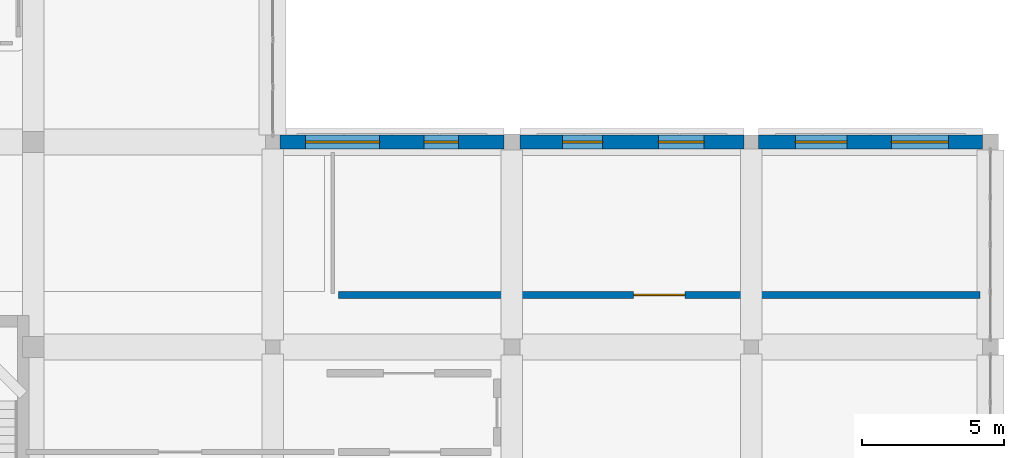
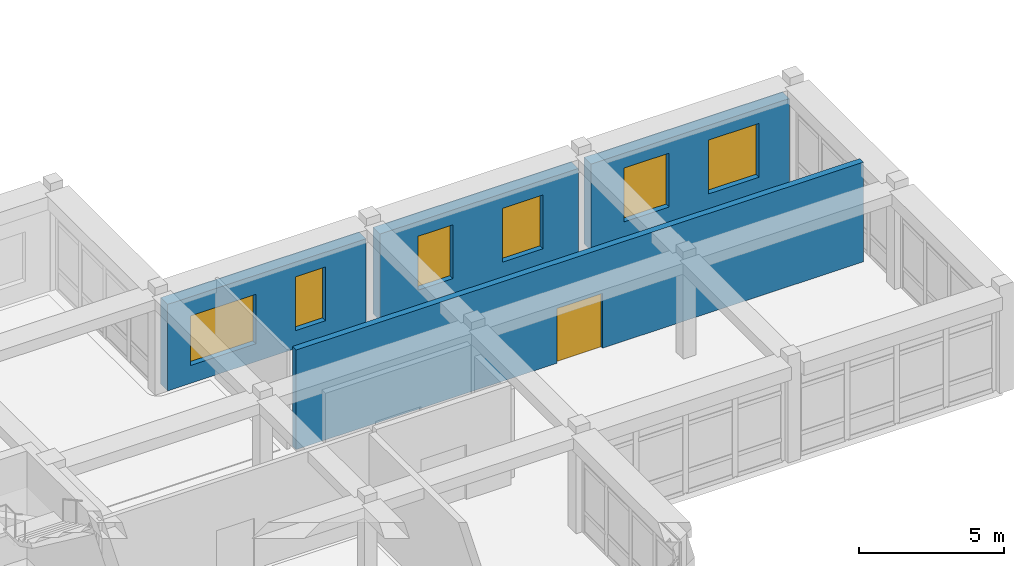
# One storey, part 87 of 121: 6 windows, 4 walls, 1 door, 7 openings.
"""IFC4 building model written with IfcOpenShell, lengths in metres."""

import ifcopenshell
import ifcopenshell.guid

model = None  # the IFC model being written
_history = None  # IfcOwnerHistory: only IFC2X3 demands one
_inside = {}  # id of a spatial element -> (the spatial element, [elements in it])
_under = {}  # id of a project, library or spatial element -> (it, [spatial elements below it])
_declared = {}  # id of a project -> (the project, [libraries it declares])
_typed = {}  # id of a type object -> (the type object, [elements of that type])
_made_of = {}  # id of a material, layer set ... -> (it, [elements and type objects made of it])


def new_model(schema):
    """Start an empty IFC model of exactly this schema.

    Asked for "IFC4X3", IfcOpenShell would pick the latest addendum, in which some entities
    have other attributes; the version numbers below select the first issue.
    IFC2X3 requires an IfcOwnerHistory on every rooted entity: one is made here for all.
    """
    global model, _history
    if schema == "IFC4X3":
        model = ifcopenshell.file(schema_version=(4, 3, 0, 0))
    else:
        model = ifcopenshell.file(schema=schema)
    _inside.clear()
    _under.clear()
    _declared.clear()
    _typed.clear()
    _made_of.clear()
    _history = None
    if model.schema == "IFC2X3":
        org = make("IfcOrganization", Name="unknown")
        user = make(
            "IfcPersonAndOrganization",
            ThePerson=make("IfcPerson", FamilyName="unknown"),
            TheOrganization=org,
        )
        app = make(
            "IfcApplication",
            ApplicationDeveloper=org,
            Version="unknown",
            ApplicationFullName="unknown",
            ApplicationIdentifier="unknown",
        )
        _history = make(
            "IfcOwnerHistory",
            OwningUser=user,
            OwningApplication=app,
            ChangeAction="ADDED",
            CreationDate=0,
        )
    return model


def make(cls, **values):
    """One entity of the class cls with the attributes given. An attribute that is None is left unset."""
    return model.create_entity(
        cls, **{name: value for name, value in values.items() if value is not None}
    )


def rooted(cls, **values):
    """An entity with a GlobalId (a new one), such as an element, a storey or a relation."""
    return make(cls, GlobalId=ifcopenshell.guid.new(), OwnerHistory=_history, **values)


def si_unit(unit_type, name, prefix=None):
    """IfcSIUnit, for example si_unit("LENGTHUNIT", "METRE", prefix="MILLI")."""
    return make("IfcSIUnit", UnitType=unit_type, Prefix=prefix, Name=name)


def derived_unit(unit_type, elements):
    """IfcDerivedUnit: a product of units, each with its exponent."""
    return make(
        "IfcDerivedUnit",
        Elements=[
            make("IfcDerivedUnitElement", Unit=unit, Exponent=power)
            for unit, power in elements
        ],
        UnitType=unit_type,
    )


def assignment(units):
    """IfcUnitAssignment: the units of a project."""
    return None if units is None else make("IfcUnitAssignment", Units=units)


def point(xyz):
    """IfcCartesianPoint."""
    return None if xyz is None else make("IfcCartesianPoint", Coordinates=xyz)


def direction(xyz):
    """IfcDirection."""
    return None if xyz is None else make("IfcDirection", DirectionRatios=xyz)


def frame(location, z_axis=None, x_axis=None):
    """IfcAxis2Placement3D, a coordinate frame: its origin and axes. An axis left out is left unset."""
    return make(
        "IfcAxis2Placement3D",
        Location=point(location),
        Axis=direction(z_axis),
        RefDirection=direction(x_axis),
    )


def frame_2d(location, x_axis=None):
    """IfcAxis2Placement2D, a coordinate frame in the plane: its origin and x axis."""
    return make(
        "IfcAxis2Placement2D", Location=point(location), RefDirection=direction(x_axis)
    )


def origin():
    """The frame at (0, 0, 0) with its axes left unset."""
    return frame((0.0, 0.0, 0.0))


def place(relative_to, where):
    """IfcLocalPlacement: puts the frame where relative to a parent placement (None: the world)."""
    return make(
        "IfcLocalPlacement", PlacementRelTo=relative_to, RelativePlacement=where
    )


def context(
    kind, dimensions, precision=None, world=None, true_north=None, identifier=None
):
    """IfcGeometricRepresentationContext, for example the 3D "Model" context."""
    return make(
        "IfcGeometricRepresentationContext",
        ContextIdentifier=identifier,
        ContextType=kind,
        CoordinateSpaceDimension=dimensions,
        Precision=precision,
        WorldCoordinateSystem=world,
        TrueNorth=true_north,
    )


def subcontext(parent, identifier, kind, view, scale=None):
    """IfcGeometricRepresentationSubContext, for example "Body" below "Model"."""
    return make(
        "IfcGeometricRepresentationSubContext",
        ContextIdentifier=identifier,
        ContextType=kind,
        ParentContext=parent,
        TargetScale=scale,
        TargetView=view,
    )


def project(units=None, contexts=None):
    """IfcProject with its units and contexts."""
    return rooted(
        "IfcProject",
        Name="project",
        RepresentationContexts=contexts,
        UnitsInContext=assignment(units),
    )


def spatial(cls, under=None, at=None, **own):
    """A site, building, storey or space (cls), placed at a placement, below another one or the project."""
    s = rooted(cls, ObjectPlacement=at, **own)
    if under is not None:
        _under.setdefault(under.id(), (under, []))[1].append(s)
    return s


def profile(cls, at=None, kind="AREA", **sizes):
    """A parametric profile (cls). Its sizes go by their IFC names, for example OverallWidth=200.0."""
    return make(cls, ProfileType=kind, Position=at, **sizes)


def rectangle(**sizes):
    """IfcRectangleProfileDef."""
    return profile("IfcRectangleProfileDef", **sizes)


def extrude(swept, where, along, depth):
    """IfcExtrudedAreaSolid: the profile swept, set in the frame where, extruded along a direction by depth."""
    return make(
        "IfcExtrudedAreaSolid",
        SweptArea=swept,
        Position=where,
        ExtrudedDirection=direction(along),
        Depth=depth,
    )


def shape(context_of_items, identifier, shape_type, items):
    """IfcShapeRepresentation: the items that make up one representation, for example the "Body"."""
    return make(
        "IfcShapeRepresentation",
        ContextOfItems=context_of_items,
        RepresentationIdentifier=identifier,
        RepresentationType=shape_type,
        Items=items,
    )


def material(Name=None, Category=None):
    """IfcMaterial."""
    return make("IfcMaterial", Name=Name, Category=Category)


def layer(
    of_material, thickness, ventilated=None, Name=None, Category=None, Priority=None
):
    """IfcMaterialLayer: one layer of a wall or slab, of a material (None: an air gap)."""
    return make(
        "IfcMaterialLayer",
        Material=of_material,
        LayerThickness=thickness,
        IsVentilated=ventilated,
        Name=Name,
        Category=Category,
        Priority=Priority,
    )


def layer_set(layers, Name=None):
    """IfcMaterialLayerSet."""
    return make("IfcMaterialLayerSet", MaterialLayers=layers, LayerSetName=Name)


def made_of(thing, what):
    """Note that an element or type object is made of a material, layer set ...; save() writes the relation."""
    if what is not None:
        _made_of.setdefault(what.id(), (what, []))[1].append(thing)
    return thing


def type_object(cls, material=None, **own):
    """A type object (cls), such as IfcWallType, which elements share."""
    return made_of(rooted(cls, **own), material)


def element(
    cls,
    number,
    at=None,
    inside=None,
    cuts=None,
    type_object=None,
    material=None,
    context=None,
    identifier="Body",
    shape_type=None,
    held_by="IfcProductDefinitionShape",
    body=None,
    shapes=None,
    **own,
):
    """One element of the class cls, such as IfcWall. Its Tag is "e" and its number.

    at: its placement. inside: the storey or other place that contains it. cuts: it is an
    opening in that element (IfcRelVoidsElement). A single representation is given by context,
    identifier, shape_type and body (its items); several are given by shapes. held_by: the class
    of the entity that holds the representations. save() writes the other relations.
    """
    e = rooted(cls, Tag="e%d" % number, ObjectPlacement=at, **own)
    if body is not None:
        shapes = [shape(context, identifier, shape_type, body)]
    if shapes is not None:
        e.Representation = make(held_by, Representations=shapes)
    if inside is not None:
        _inside.setdefault(inside.id(), (inside, []))[1].append(e)
    if cuts is not None:
        rooted(
            "IfcRelVoidsElement", RelatingBuildingElement=cuts, RelatedOpeningElement=e
        )
    if type_object is not None:
        _typed.setdefault(type_object.id(), (type_object, []))[1].append(e)
    return made_of(e, material)


def fill(opening, filler):
    """IfcRelFillsElement: the door or window that sits in an opening."""
    return rooted(
        "IfcRelFillsElement",
        RelatingOpeningElement=opening,
        RelatedBuildingElement=filler,
    )


def aggregate(whole, parts):
    """IfcRelAggregates: a whole, such as a stair, and the parts it consists of."""
    return rooted("IfcRelAggregates", RelatingObject=whole, RelatedObjects=parts)


def save(model, path):
    """Write the relations noted so far, then the file.

    IfcRelAggregates (storeys below a building ...), IfcRelContainedInSpatialStructure (elements
    in a storey), IfcRelDefinesByType, IfcRelAssociatesMaterial and IfcRelDeclares: one each for
    every whole, place, type object, material and project.
    """
    for whole, parts in _under.values():
        aggregate(whole, parts)
    for where, things in _inside.values():
        rooted(
            "IfcRelContainedInSpatialStructure",
            RelatedElements=things,
            RelatingStructure=where,
        )
    for kind, things in _typed.values():
        rooted("IfcRelDefinesByType", RelatedObjects=things, RelatingType=kind)
    for what, things in _made_of.values():
        rooted("IfcRelAssociatesMaterial", RelatedObjects=things, RelatingMaterial=what)
    for by, libraries in _declared.values():
        rooted("IfcRelDeclares", RelatingContext=by, RelatedDefinitions=libraries)
    model.write(path)


model = new_model("IFC4")

# Units and contexts
model_context = context("Model", 3, precision=1e-05, world=origin(), true_north=direction((0.0, 1.0)))
body_context = subcontext(model_context, "Body", "Model", "MODEL_VIEW")
ifc_project = project(units=[si_unit("LENGTHUNIT", "METRE"), si_unit("AREAUNIT", "SQUARE_METRE"), si_unit("VOLUMEUNIT", "CUBIC_METRE"), si_unit("PLANEANGLEUNIT", "RADIAN"), si_unit("MASSUNIT", "GRAM", prefix="KILO"), derived_unit("THERMALTRANSMITTANCEUNIT", [(si_unit("POWERUNIT", "WATT"), 1), (si_unit("LENGTHUNIT", "METRE"), -2), (si_unit("THERMODYNAMICTEMPERATUREUNIT", "KELVIN"), -1)])], contexts=[model_context])

# Site, building, storey
site_placement = place(None, origin())
site = spatial("IfcSite", under=ifc_project, at=site_placement, CompositionType="ELEMENT")
building_placement = place(site_placement, origin())
building = spatial("IfcBuilding", under=site, at=building_placement, Name="Veybourne Emporium", CompositionType="ELEMENT")
storey_placement = place(building_placement, frame((0.0, 0.0, 5.39990234375)))
storey = spatial("IfcBuildingStorey", under=building, at=storey_placement, Name="L01", CompositionType="ELEMENT", Elevation=5.39990234375)

# Wall, openings, windows
ifc_material_1 = material(Name="Portland Limestone Ashlar", Category="masonry")
ifc_layer_1 = layer(ifc_material_1, 0.47998046875)
ifc_layer_set_1 = layer_set([ifc_layer_1], Name="Portland Limestone Ashlar")
wall_type_1 = type_object("IfcWallType", Name="ExtWall_EW-01", PredefinedType="SOLIDWALL", material=ifc_layer_set_1)
wall_1_placement = place(storey_placement, frame((143.050048828125, 21.60009765625, 0.0), z_axis=(0.0, 0.0, 1.0), x_axis=(1.0, 0.0, 0.0)))
wall_1 = element("IfcWall", 1, at=wall_1_placement, inside=storey, type_object=wall_type_1, Name="L01 Portland stone external wall 074", PredefinedType="SOLIDWALL", context=body_context, shape_type="SweptSolid", body=[
    extrude(rectangle(XDim=7.875, YDim=0.47998046875, at=frame_2d((3.9375, 0.0))), origin(), (0.0, 0.0, 1.0), 3.630126953125),
])
opening_1_placement = place(wall_1_placement, frame((0.905029296875, 0.0, 0.75)))
opening_1 = element("IfcOpeningElement", 2, at=opening_1_placement, cuts=wall_1, Name="Opening W-16", PredefinedType="OPENING", context=body_context, shape_type="SweptSolid", body=[
    extrude(rectangle(XDim=2.60009765625, YDim=2.080078125, at=frame_2d((1.300048828125, 1.0400390625))), frame((0.0, 0.260009765625, 0.0), z_axis=(0.0, -1.0, 0.0), x_axis=(1.0, 0.0, 0.0)), (0.0, 0.0, 1.0), 0.52001953125),
])
opening_2_placement = place(wall_1_placement, frame((5.070068359375, 0.0, 0.75)))
opening_2 = element("IfcOpeningElement", 3, at=opening_2_placement, cuts=wall_1, Name="Opening W-17", PredefinedType="OPENING", context=body_context, shape_type="SweptSolid", body=[
    extrude(rectangle(XDim=1.199951171875, YDim=2.260009765625, at=frame_2d((0.60009765625, 1.1298828125))), frame((0.0, 0.260009765625, 0.0), z_axis=(0.0, -1.0, 0.0), x_axis=(1.0, 0.0, 0.0)), (0.0, 0.0, 1.0), 0.52001953125),
])
ifc_material_2 = material(Name="Low-E Triple Glazing", Category="glass")
window_type_1 = type_object("IfcWindowType", Name="Win_W-16", PartitioningType="TRIPLE_PANEL_VERTICAL", PredefinedType="WINDOW", material=ifc_material_2)
window_1_placement = place(opening_1_placement, origin())
window_1 = element("IfcWindow", 4, at=window_1_placement, inside=storey, type_object=window_type_1, Name="L01 tripartite bronze casement window W-16 (74.1)", OverallHeight=2.080078125, OverallWidth=2.60009765625, PartitioningType="TRIPLE_PANEL_VERTICAL", PredefinedType="WINDOW", context=body_context, shape_type="SweptSolid", body=[
    extrude(rectangle(XDim=2.60009765625, YDim=2.080078125, at=frame_2d((1.300048828125, 1.0400390625))), frame((0.0, 0.030029296875, 0.0), z_axis=(0.0, -1.0, 0.0), x_axis=(1.0, 0.0, 0.0)), (0.0, 0.0, 1.0), 0.06005859375),
])
fill(opening_1, window_1)
window_type_2 = type_object("IfcWindowType", Name="Win_W-17", PartitioningType="SINGLE_PANEL", PredefinedType="WINDOW", material=ifc_material_2)
window_2_placement = place(opening_2_placement, origin())
window_2 = element("IfcWindow", 5, at=window_2_placement, inside=storey, type_object=window_type_2, Name="L01 tripartite bronze casement window W-17 (74.2)", OverallHeight=2.260009765625, OverallWidth=1.199951171875, PartitioningType="SINGLE_PANEL", PredefinedType="WINDOW", context=body_context, shape_type="SweptSolid", body=[
    extrude(rectangle(XDim=1.199951171875, YDim=2.260009765625, at=frame_2d((0.60009765625, 1.1298828125))), frame((0.0, 0.030029296875, 0.0), z_axis=(0.0, -1.0, 0.0), x_axis=(1.0, 0.0, 0.0)), (0.0, 0.0, 1.0), 0.06005859375),
])
fill(opening_2, window_2)

wall_2_placement = place(storey_placement, frame((151.47509765625, 21.60009765625, 0.0), z_axis=(0.0, 0.0, 1.0), x_axis=(1.0, 0.0, 0.0)))
wall_2 = element("IfcWall", 6, at=wall_2_placement, inside=storey, type_object=wall_type_1, Name="L01 Portland stone external wall 076", PredefinedType="SOLIDWALL", context=body_context, shape_type="SweptSolid", body=[
    extrude(rectangle(XDim=7.875, YDim=0.47998046875, at=frame_2d((3.9375, 0.0))), origin(), (0.0, 0.0, 1.0), 3.630126953125),
])
opening_3_placement = place(wall_2_placement, frame((1.5048828125, 0.0, 0.75)))
opening_3 = element("IfcOpeningElement", 7, at=opening_3_placement, cuts=wall_2, Name="Opening W-18", PredefinedType="OPENING", context=body_context, shape_type="SweptSolid", body=[
    extrude(rectangle(XDim=1.39990234375, YDim=2.260009765625, at=frame_2d((0.699951171875, 1.1298828125))), frame((0.0, 0.260009765625, 0.0), z_axis=(0.0, -1.0, 0.0), x_axis=(1.0, 0.0, 0.0)), (0.0, 0.0, 1.0), 0.52001953125),
])
opening_4_placement = place(wall_2_placement, frame((4.8701171875, 0.0, 0.75)))
opening_4 = element("IfcOpeningElement", 8, at=opening_4_placement, cuts=wall_2, Name="Opening W-19", PredefinedType="OPENING", context=body_context, shape_type="SweptSolid", body=[
    extrude(rectangle(XDim=1.60009765625, YDim=2.260009765625, at=frame_2d((0.800048828125, 1.1298828125))), frame((0.0, 0.260009765625, 0.0), z_axis=(0.0, -1.0, 0.0), x_axis=(1.0, 0.0, 0.0)), (0.0, 0.0, 1.0), 0.52001953125),
])
window_type_3 = type_object("IfcWindowType", Name="Win_W-18", PartitioningType="DOUBLE_PANEL_VERTICAL", PredefinedType="WINDOW", material=ifc_material_2)
window_3_placement = place(opening_3_placement, origin())
window_3 = element("IfcWindow", 9, at=window_3_placement, inside=storey, type_object=window_type_3, Name="L01 tripartite bronze casement window W-18 (76.1)", OverallHeight=2.260009765625, OverallWidth=1.39990234375, PartitioningType="DOUBLE_PANEL_VERTICAL", PredefinedType="WINDOW", context=body_context, shape_type="SweptSolid", body=[
    extrude(rectangle(XDim=1.39990234375, YDim=2.260009765625, at=frame_2d((0.699951171875, 1.1298828125))), frame((0.0, 0.030029296875, 0.0), z_axis=(0.0, -1.0, 0.0), x_axis=(1.0, 0.0, 0.0)), (0.0, 0.0, 1.0), 0.06005859375),
])
fill(opening_3, window_3)
window_type_4 = type_object("IfcWindowType", Name="Win_W-19", PartitioningType="DOUBLE_PANEL_VERTICAL", PredefinedType="WINDOW", material=ifc_material_2)
window_4_placement = place(opening_4_placement, origin())
window_4 = element("IfcWindow", 10, at=window_4_placement, inside=storey, type_object=window_type_4, Name="L01 tripartite bronze casement window W-19 (76.2)", OverallHeight=2.260009765625, OverallWidth=1.60009765625, PartitioningType="DOUBLE_PANEL_VERTICAL", PredefinedType="WINDOW", context=body_context, shape_type="SweptSolid", body=[
    extrude(rectangle(XDim=1.60009765625, YDim=2.260009765625, at=frame_2d((0.800048828125, 1.1298828125))), frame((0.0, 0.030029296875, 0.0), z_axis=(0.0, -1.0, 0.0), x_axis=(1.0, 0.0, 0.0)), (0.0, 0.0, 1.0), 0.06005859375),
])
fill(opening_4, window_4)

wall_3_placement = place(storey_placement, frame((159.85009765625, 21.60009765625, 0.0), z_axis=(0.0, 0.0, 1.0), x_axis=(1.0, 0.0, 0.0)))
wall_3 = element("IfcWall", 11, at=wall_3_placement, inside=storey, type_object=wall_type_1, Name="L01 Portland stone external wall 080", PredefinedType="SOLIDWALL", context=body_context, shape_type="SweptSolid", body=[
    extrude(rectangle(XDim=7.875, YDim=0.47998046875, at=frame_2d((3.9375, 0.0))), origin(), (0.0, 0.0, 1.0), 3.630126953125),
])
opening_5_placement = place(wall_3_placement, frame((1.304931640625, 0.0, 0.75)))
opening_5 = element("IfcOpeningElement", 12, at=opening_5_placement, cuts=wall_3, Name="Opening W-20", PredefinedType="OPENING", context=body_context, shape_type="SweptSolid", body=[
    extrude(rectangle(XDim=1.800048828125, YDim=2.260009765625, at=frame_2d((0.89990234375, 1.1298828125))), frame((0.0, 0.260009765625, 0.0), z_axis=(0.0, -1.0, 0.0), x_axis=(1.0, 0.0, 0.0)), (0.0, 0.0, 1.0), 0.52001953125),
])
opening_6_placement = place(wall_3_placement, frame((4.669921875, 0.0, 0.75)))
opening_6 = element("IfcOpeningElement", 13, at=opening_6_placement, cuts=wall_3, Name="Opening W-21", PredefinedType="OPENING", context=body_context, shape_type="SweptSolid", body=[
    extrude(rectangle(XDim=2.0, YDim=2.260009765625, at=frame_2d((1.0, 1.1298828125))), frame((0.0, 0.260009765625, 0.0), z_axis=(0.0, -1.0, 0.0), x_axis=(1.0, 0.0, 0.0)), (0.0, 0.0, 1.0), 0.52001953125),
])
window_type_5 = type_object("IfcWindowType", Name="Win_W-20", PartitioningType="DOUBLE_PANEL_VERTICAL", PredefinedType="WINDOW", material=ifc_material_2)
window_5_placement = place(opening_5_placement, origin())
window_5 = element("IfcWindow", 14, at=window_5_placement, inside=storey, type_object=window_type_5, Name="L01 tripartite bronze casement window W-20 (80.1)", OverallHeight=2.260009765625, OverallWidth=1.800048828125, PartitioningType="DOUBLE_PANEL_VERTICAL", PredefinedType="WINDOW", context=body_context, shape_type="SweptSolid", body=[
    extrude(rectangle(XDim=1.800048828125, YDim=2.260009765625, at=frame_2d((0.89990234375, 1.1298828125))), frame((0.0, 0.030029296875, 0.0), z_axis=(0.0, -1.0, 0.0), x_axis=(1.0, 0.0, 0.0)), (0.0, 0.0, 1.0), 0.06005859375),
])
fill(opening_5, window_5)
window_type_6 = type_object("IfcWindowType", Name="Win_W-21", PartitioningType="TRIPLE_PANEL_VERTICAL", PredefinedType="WINDOW", material=ifc_material_2)
window_6_placement = place(opening_6_placement, origin())
window_6 = element("IfcWindow", 15, at=window_6_placement, inside=storey, type_object=window_type_6, Name="L01 tripartite bronze casement window W-21 (80.2)", OverallHeight=2.260009765625, OverallWidth=2.0, PartitioningType="TRIPLE_PANEL_VERTICAL", PredefinedType="WINDOW", context=body_context, shape_type="SweptSolid", body=[
    extrude(rectangle(XDim=2.0, YDim=2.260009765625, at=frame_2d((1.0, 1.1298828125))), frame((0.0, 0.030029296875, 0.0), z_axis=(0.0, -1.0, 0.0), x_axis=(1.0, 0.0, 0.0)), (0.0, 0.0, 1.0), 0.06005859375),
])
fill(opening_6, window_6)

# Wall, opening, door
ifc_material_3 = material(Name="Concrete C32/40", Category="concrete")
ifc_layer_2 = layer(ifc_material_3, 0.25)
ifc_layer_set_2 = layer_set([ifc_layer_2], Name="Concrete C32/40")
wall_type_2 = type_object("IfcWallType", Name="IntWall_FW-01", PredefinedType="SOLIDWALL", material=ifc_layer_set_2)
wall_4_placement = place(storey_placement, frame((145.118896484375, 16.22998046875, 0.0), z_axis=(0.0, 0.0, 1.0), x_axis=(1.0, 0.0, 0.0)))
wall_4 = element("IfcWall", 16, at=wall_4_placement, inside=storey, type_object=wall_type_2, Name="L01 interior partition FW-01 #168", PredefinedType="SOLIDWALL", context=body_context, shape_type="SweptSolid", body=[
    extrude(rectangle(XDim=22.510986328125, YDim=0.25, at=frame_2d((11.25537109375, 0.0))), origin(), (0.0, 0.0, 1.0), 4.18017578125),
])
opening_7_placement = place(wall_4_placement, frame((10.35546875, 0.0, 0.0)))
opening_7 = element("IfcOpeningElement", 17, at=opening_7_placement, cuts=wall_4, Name="Opening FD-03", PredefinedType="OPENING", context=body_context, shape_type="SweptSolid", body=[
    extrude(rectangle(XDim=1.800048828125, YDim=2.300048828125, at=frame_2d((0.89990234375, 1.14990234375))), frame((0.0, 0.14501953125, 0.0), z_axis=(0.0, -1.0, 0.0), x_axis=(1.0, 0.0, 0.0)), (0.0, 0.0, 1.0), 0.2900390625),
])
ifc_material_4 = material(Name="Patinated Architectural Bronze", Category="bronze")
door_type = type_object("IfcDoorType", Name="FireDoor_FD-03", OperationType="DOUBLE_DOOR_SINGLE_SWING", PredefinedType="DOOR", material=ifc_material_4)
door_placement = place(opening_7_placement, origin())
door = element("IfcDoor", 18, at=door_placement, inside=storey, type_object=door_type, Name="L01 interior door FD-03 (PART-L01-168)", OperationType="DOUBLE_DOOR_SINGLE_SWING", OverallHeight=2.300048828125, OverallWidth=1.800048828125, PredefinedType="DOOR", context=body_context, shape_type="SweptSolid", body=[
    extrude(rectangle(XDim=1.800048828125, YDim=2.300048828125, at=frame_2d((0.89990234375, 1.14990234375))), frame((0.0, 0.02490234375, 0.0), z_axis=(0.0, -1.0, 0.0), x_axis=(1.0, 0.0, 0.0)), (0.0, 0.0, 1.0), 0.050048828125),
])
fill(opening_7, door)

save(model, "model.ifc")
